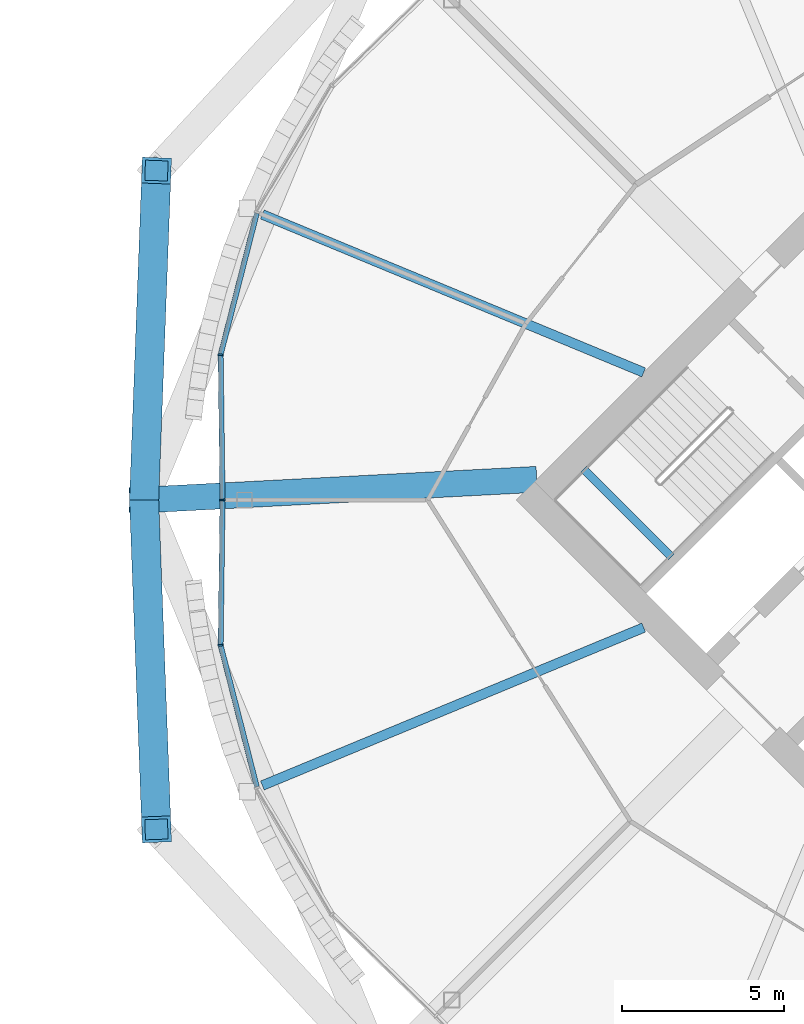
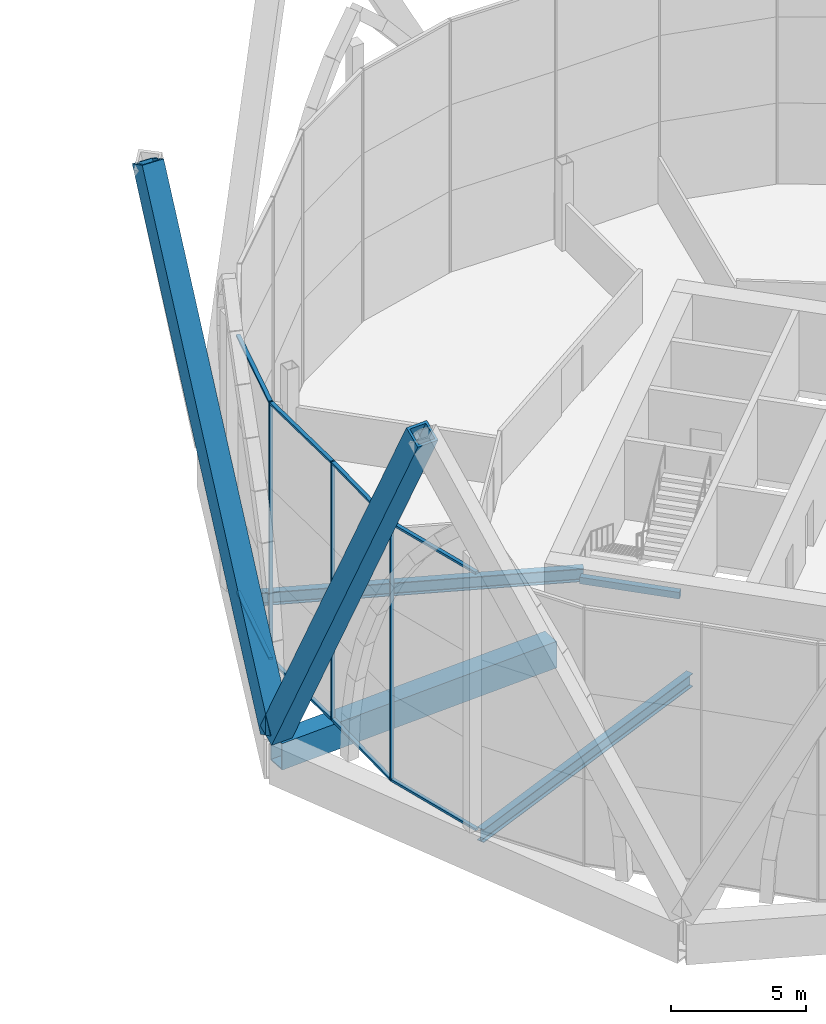
# One storey, part 16 of 37: 13 members, 4 beams, 2 elements without a shape of their own.
"""IFC4 building model written with IfcOpenShell, lengths in metres."""

from ifc_helpers import new_model, si_unit, direction, frame, origin, origin_2d, place, context, subcontext, project, spatial, rectangle, hollow_rectangle, i_section, extrude, material, material_profile, profile_set, type_object, element, aggregate, save


model = new_model("IFC4")

# Units and contexts
model_context = context("Model", 3, precision=1e-05, world=origin(), true_north=direction((0.0, 1.0)))
body_context = subcontext(model_context, "Body", "Model", "MODEL_VIEW")
ifc_project = project(units=[si_unit("LENGTHUNIT", "METRE"), si_unit("AREAUNIT", "SQUARE_METRE"), si_unit("VOLUMEUNIT", "CUBIC_METRE"), si_unit("PLANEANGLEUNIT", "RADIAN"), si_unit("MASSUNIT", "GRAM", prefix="KILO")], contexts=[model_context])

# Site, building, storey
site_placement = place(None, origin())
site = spatial("IfcSite", under=ifc_project, at=site_placement, CompositionType="ELEMENT")
building_placement = place(site_placement, origin())
building = spatial("IfcBuilding", under=site, at=building_placement, Name="Ogive Gate Towers", CompositionType="ELEMENT")
storey_placement = place(building_placement, frame((0.0, 0.0, 32.39990234375)))
storey = spatial("IfcBuildingStorey", under=building, at=storey_placement, Name="L06", CompositionType="ELEMENT", Elevation=32.39990234375)

# Members
ifc_material_1 = material(Name="Steel SM460", Category="steel")
ifc_material_profile_1 = material_profile(ifc_material_1, hollow_rectangle(XDim=0.89990234375, YDim=0.89990234375, WallThickness=0.10009765625, at=origin_2d()), Name="BX 900x900x100")
ifc_profile_set_1 = profile_set([ifc_material_profile_1], Name="Steel SM460")
member_type_1 = type_object("IfcMemberType", Name="Diagrid diagonal BX 900x900x100", PredefinedType="BRACE", material=ifc_profile_set_1)
for number, where, z_axis, x_axis, name in (
    (1, (11.090087890625, 0.0, 0.0), (0.017318521171, 0.462004857089, 0.886708283964), (-0.999298155125, 0.037459273404, 0.0), "T2/L06/SDG009"),
    (2, (11.090087890625, 0.0, 0.0), (0.017318521171, -0.462004857089, 0.886708283964), (0.999298155125, 0.037459273404, 0.0), "T2/L06/SDG010"),
):
    element("IfcMember", number, at=place(storey_placement, frame(where, z_axis=z_axis, x_axis=x_axis)), inside=storey, type_object=member_type_1, Name=name, PredefinedType="BRACE", context=body_context, shape_type="SweptSolid", body=[
        extrude(hollow_rectangle(XDim=0.89990234375, YDim=0.89990234375, WallThickness=0.10009765625, at=origin_2d()), origin(), (0.0, 0.0, 1.0), 21.991455078125),
    ])

# Beams
ifc_material_2 = material(Name="Concrete C40/50", Category="concrete")
ifc_material_profile_2 = material_profile(ifc_material_2, rectangle(XDim=0.25, YDim=0.300048828125, at=origin_2d()), Name="RC 250x300")
ifc_profile_set_2 = profile_set([ifc_material_profile_2], Name="Concrete C40/50")
beam_type_1 = type_object("IfcBeamType", Name="Landing bearer RC 250x300", PredefinedType="BEAM", material=ifc_profile_set_2)
beam_1_placement = place(storey_placement, frame((24.650390625, 0.9541015625, 1.60009765625), z_axis=(0.707106781187, -0.707106781187, 0.0), x_axis=(0.707106781187, 0.707106781187, 0.0)))
element("IfcBeam", 3, at=beam_1_placement, inside=storey, type_object=beam_type_1, Name="T2 L06 stair 1 landing bearer 1", PredefinedType="BEAM", context=body_context, shape_type="SweptSolid", body=[
    extrude(rectangle(XDim=0.25, YDim=0.300048828125, at=origin_2d()), origin(), (0.0, 0.0, 1.0), 3.824951171875),
])
ifc_material_3 = material(Name="Steel SM355", Category="steel")
ifc_material_profile_3 = material_profile(ifc_material_3, i_section(OverallWidth=0.300048828125, OverallDepth=0.590087890625, WebThickness=0.012939453125, FlangeThickness=0.02490234375, FilletRadius=0.027099609375, at=origin_2d()), Name="HE 600 A")
ifc_profile_set_3 = profile_set([ifc_material_profile_3], Name="Steel SM355")
beam_type_2 = type_object("IfcBeamType", Name="Radial floor beam HE 600 A", PredefinedType="BEAM", material=ifc_profile_set_3)
for number, where, z_axis, x_axis, name in (
    (4, (26.5, 3.93505859375, -0.594970703125), (-0.923876595354, 0.382690523214, 0.0), (-0.382690523214, -0.923876595354, 0.0), "T2/L06/SBM014"),
    (5, (26.5, -3.93505859375, -0.594970703125), (-0.923876595354, -0.382690523214, 0.0), (0.382690523214, -0.923876595354, 0.0), "T2/L06/SBM016"),
):
    element("IfcBeam", number, at=place(storey_placement, frame(where, z_axis=z_axis, x_axis=x_axis)), inside=storey, type_object=beam_type_2, Name=name, PredefinedType="BEAM", context=body_context, shape_type="SweptSolid", body=[
        extrude(i_section(OverallWidth=0.300048828125, OverallDepth=0.590087890625, WebThickness=0.012939453125, FlangeThickness=0.02490234375, FilletRadius=0.027099609375, at=origin_2d()), origin(), (0.0, 0.0, 1.0), 12.731201171875),
    ])

# Curtain wall, members
ifc_material_4 = material(Name="Pale metal aluminium", Category="aluminium")
curtain_wall_type = type_object("IfcCurtainWallType", Name="Tower unitised wall, low zone", PredefinedType="NOTDEFINED", material=ifc_material_4)
curtain_wall_1_placement = place(storey_placement, origin())
curtain_wall_1 = element("IfcCurtainWall", 6, at=curtain_wall_1_placement, inside=storey, type_object=curtain_wall_type, Name="CW1 T2 ECW04", PredefinedType="NOTDEFINED")
ifc_material_profile_4 = material_profile(ifc_material_4, rectangle(XDim=0.159912109375, YDim=0.06005859375, at=origin_2d()), Name="60 x 160 aluminium box")
ifc_profile_set_4 = profile_set([ifc_material_profile_4], Name="Pale metal aluminium")
member_type_2 = type_object("IfcMemberType", Name="Tower unitised wall, low zone mullion 60 x 160", PredefinedType="MULLION", material=ifc_profile_set_4)
member_1_placement = place(storey_placement, frame((13.449951171875, 4.47900390625, -0.2998046875), z_axis=(0.0, 0.0, 1.0), x_axis=(-0.992984094708, 0.118247992189, 0.0)))
member_1 = element("IfcMember", 7, at=member_1_placement, type_object=member_type_2, Name="CW1 mullion", PredefinedType="MULLION", context=body_context, shape_type="SweptSolid", body=[
    extrude(rectangle(XDim=0.159912109375, YDim=0.06005859375, at=origin_2d()), origin(), (0.0, 0.0, 1.0), 11.699951171875),
])
member_2_placement = place(storey_placement, frame((13.510009765625, 0.000244140625, -0.2998046875), z_axis=(0.0, 0.0, 1.0), x_axis=(-0.999910399799, -0.013386275544, 0.0)))
member_2 = element("IfcMember", 8, at=member_2_placement, type_object=member_type_2, Name="CW1 mullion", PredefinedType="MULLION", context=body_context, shape_type="SweptSolid", body=[
    extrude(rectangle(XDim=0.159912109375, YDim=0.06005859375, at=origin_2d()), origin(), (0.0, 0.0, 1.0), 11.699951171875),
])

# Curtain wall, member
curtain_wall_2_placement = place(storey_placement, origin())
curtain_wall_2 = element("IfcCurtainWall", 9, at=curtain_wall_2_placement, inside=storey, type_object=curtain_wall_type, Name="CW1 T2 ECW05", PredefinedType="NOTDEFINED")
member_3_placement = place(storey_placement, frame((13.449951171875, -4.47900390625, -0.2998046875), z_axis=(0.0, 0.0, 1.0), x_axis=(-0.992984094708, -0.118247992189, 0.0)))
member_3 = element("IfcMember", 10, at=member_3_placement, type_object=member_type_2, Name="CW1 mullion", PredefinedType="MULLION", context=body_context, shape_type="SweptSolid", body=[
    extrude(rectangle(XDim=0.159912109375, YDim=0.06005859375, at=origin_2d()), origin(), (0.0, 0.0, 1.0), 11.699951171875),
])

# Member
ifc_material_profile_5 = material_profile(ifc_material_4, rectangle(XDim=0.159912109375, YDim=0.10009765625, at=origin_2d()), Name="100 x 160 aluminium box")
ifc_profile_set_5 = profile_set([ifc_material_profile_5], Name="Pale metal aluminium")
member_type_3 = type_object("IfcMemberType", Name="Tower unitised wall, low zone transom 100 x 160", PredefinedType="USERDEFINED", material=ifc_profile_set_5)
member_4_placement = place(storey_placement, frame((14.567626953125, 8.848388671875, 11.35009765625), z_axis=(-0.24781185132, -0.968808178302, 0.0), x_axis=(0.968808178302, -0.24781185132, 0.0)))
member_4 = element("IfcMember", 11, at=member_4_placement, type_object=member_type_3, Name="CW1 transom", ObjectType="TRANSOM", PredefinedType="USERDEFINED", context=body_context, shape_type="SweptSolid", body=[
    extrude(rectangle(XDim=0.159912109375, YDim=0.10009765625, at=origin_2d()), origin(), (0.0, 0.0, 1.0), 4.482666015625),
])

member_5_placement = place(storey_placement, frame((14.567626953125, 8.848388671875, -0.25), z_axis=(-0.24781185132, -0.968808178302, 0.0), x_axis=(0.968808178302, -0.24781185132, 0.0)))
member_5 = element("IfcMember", 12, at=member_5_placement, type_object=member_type_3, Name="CW1 transom", ObjectType="TRANSOM", PredefinedType="USERDEFINED", context=body_context, shape_type="SweptSolid", body=[
    extrude(rectangle(XDim=0.159912109375, YDim=0.10009765625, at=origin_2d()), origin(), (0.0, 0.0, 1.0), 4.482666015625),
])

member_6_placement = place(storey_placement, frame((13.450439453125, 4.45166015625, 11.35009765625), z_axis=(0.013361590097, -0.99991072997, 0.0), x_axis=(0.99991072997, 0.013361590097, 0.0)))
member_6 = element("IfcMember", 13, at=member_6_placement, type_object=member_type_3, Name="CW1 transom", ObjectType="TRANSOM", PredefinedType="USERDEFINED", context=body_context, shape_type="SweptSolid", body=[
    extrude(rectangle(XDim=0.159912109375, YDim=0.10009765625, at=origin_2d()), origin(), (0.0, 0.0, 1.0), 4.421875),
])

member_7_placement = place(storey_placement, frame((13.450439453125, 4.45166015625, -0.25), z_axis=(0.013361590097, -0.99991072997, 0.0), x_axis=(0.99991072997, 0.013361590097, 0.0)))
member_7 = element("IfcMember", 14, at=member_7_placement, type_object=member_type_3, Name="CW1 transom", ObjectType="TRANSOM", PredefinedType="USERDEFINED", context=body_context, shape_type="SweptSolid", body=[
    extrude(rectangle(XDim=0.159912109375, YDim=0.10009765625, at=origin_2d()), origin(), (0.0, 0.0, 1.0), 4.421875),
])

aggregate(curtain_wall_1, [member_1, member_4, member_5, member_2, member_6, member_7])

member_8_placement = place(storey_placement, frame((13.509521484375, -0.0302734375, 11.35009765625), z_axis=(-0.013361590097, -0.99991072997, 0.0), x_axis=(0.99991072997, -0.013361590097, 0.0)))
member_8 = element("IfcMember", 15, at=member_8_placement, type_object=member_type_3, Name="CW1 transom", ObjectType="TRANSOM", PredefinedType="USERDEFINED", context=body_context, shape_type="SweptSolid", body=[
    extrude(rectangle(XDim=0.159912109375, YDim=0.10009765625, at=origin_2d()), origin(), (0.0, 0.0, 1.0), 4.421875),
])

member_9_placement = place(storey_placement, frame((13.509521484375, -0.0302734375, -0.25), z_axis=(-0.013361590097, -0.99991072997, 0.0), x_axis=(0.99991072997, -0.013361590097, 0.0)))
member_9 = element("IfcMember", 16, at=member_9_placement, type_object=member_type_3, Name="CW1 transom", ObjectType="TRANSOM", PredefinedType="USERDEFINED", context=body_context, shape_type="SweptSolid", body=[
    extrude(rectangle(XDim=0.159912109375, YDim=0.10009765625, at=origin_2d()), origin(), (0.0, 0.0, 1.0), 4.421875),
])

member_10_placement = place(storey_placement, frame((13.456787109375, -4.505615234375, 11.35009765625), z_axis=(0.24781185132, -0.968808178302, 0.0), x_axis=(0.968808178302, 0.24781185132, 0.0)))
member_10 = element("IfcMember", 17, at=member_10_placement, type_object=member_type_3, Name="CW1 transom", ObjectType="TRANSOM", PredefinedType="USERDEFINED", context=body_context, shape_type="SweptSolid", body=[
    extrude(rectangle(XDim=0.159912109375, YDim=0.10009765625, at=origin_2d()), origin(), (0.0, 0.0, 1.0), 4.482666015625),
])

member_11_placement = place(storey_placement, frame((13.456787109375, -4.505615234375, -0.25), z_axis=(0.24781185132, -0.968808178302, 0.0), x_axis=(0.968808178302, 0.24781185132, 0.0)))
member_11 = element("IfcMember", 18, at=member_11_placement, type_object=member_type_3, Name="CW1 transom", ObjectType="TRANSOM", PredefinedType="USERDEFINED", context=body_context, shape_type="SweptSolid", body=[
    extrude(rectangle(XDim=0.159912109375, YDim=0.10009765625, at=origin_2d()), origin(), (0.0, 0.0, 1.0), 4.482666015625),
])

aggregate(curtain_wall_2, [member_3, member_8, member_9, member_10, member_11])

# Beam
ifc_material_profile_6 = material_profile(ifc_material_1, hollow_rectangle(XDim=0.800048828125, YDim=1.199951171875, WallThickness=0.050048828125, at=origin_2d()), Name="BX 1200x800x50")
ifc_profile_set_6 = profile_set([ifc_material_profile_6], Name="Steel SM460")
beam_type_3 = type_object("IfcBeamType", Name="Transfer radial beam BX 1200x800x50", PredefinedType="BEAM", material=ifc_profile_set_6)
beam_2_placement = place(storey_placement, frame((23.201416015625, 0.636474609375, -0.89990234375), z_axis=(-0.998621996823, -0.052479590907, 0.0), x_axis=(0.052479590907, -0.998621996823, 0.0)))
element("IfcBeam", 19, at=beam_2_placement, inside=storey, type_object=beam_type_3, Name="T2/L06/SBM015", PredefinedType="BEAM", context=body_context, shape_type="SweptSolid", body=[
    extrude(hollow_rectangle(XDim=0.800048828125, YDim=1.199951171875, WallThickness=0.050048828125, at=origin_2d()), origin(), (0.0, 0.0, 1.0), 12.1279296875),
])

save(model, "model.ifc")
